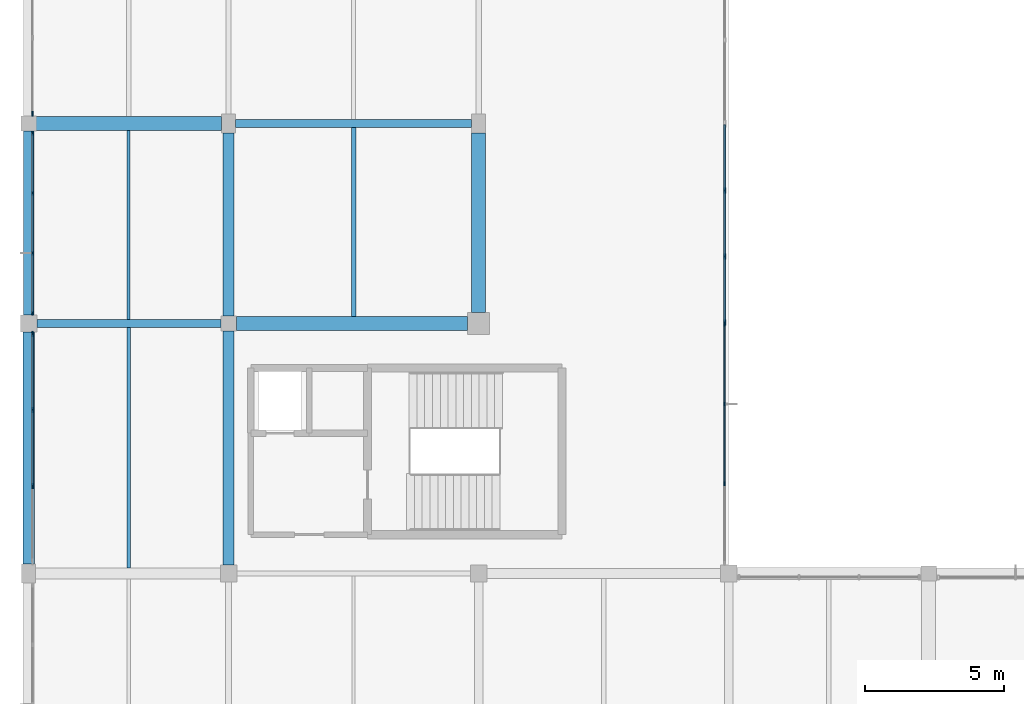
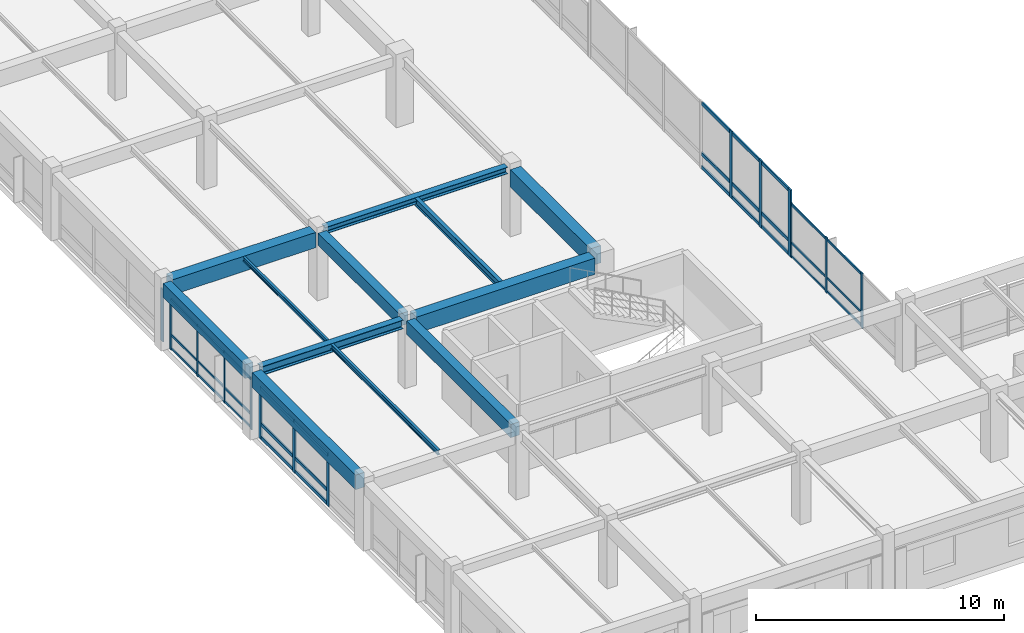
# One storey, part 6 of 74: 44 members, 12 beams, 5 elements without a shape of their own.
"""IFC4 building model written with IfcOpenShell, lengths in metres."""

from ifc_helpers import new_model, si_unit, direction, frame, origin, origin_2d, place, context, subcontext, project, spatial, rectangle, i_section, extrude, material, material_profile, profile_set, type_object, element, aggregate, save


model = new_model("IFC4")

# Units and contexts
model_context = context("Model", 3, precision=1e-05, world=origin(), true_north=direction((0.0, 1.0)))
body_context = subcontext(model_context, "Body", "Model", "MODEL_VIEW")
ifc_project = project(units=[si_unit("LENGTHUNIT", "METRE"), si_unit("AREAUNIT", "SQUARE_METRE"), si_unit("VOLUMEUNIT", "CUBIC_METRE"), si_unit("PLANEANGLEUNIT", "RADIAN"), si_unit("MASSUNIT", "GRAM", prefix="KILO")], contexts=[model_context])

# Site, building, storey
site_placement = place(None, origin())
site = spatial("IfcSite", under=ifc_project, at=site_placement, CompositionType="ELEMENT")
building_placement = place(site_placement, origin())
building = spatial("IfcBuilding", under=site, at=building_placement, Name="Clarverna Civic Hall", CompositionType="ELEMENT")
storey_placement = place(building_placement, frame((0.0, 0.0, 9.60009765625)))
storey = spatial("IfcBuildingStorey", under=building, at=storey_placement, Name="L02", CompositionType="ELEMENT", Elevation=9.60009765625)

# Beams
ifc_material_1 = material(Name="Concrete C35/45", Category="concrete")
ifc_material_profile_1 = material_profile(ifc_material_1, rectangle(XDim=0.5, YDim=0.85009765625, at=origin_2d()), Name="RC 500x850")
ifc_profile_set_1 = profile_set([ifc_material_profile_1], Name="Concrete C35/45")
beam_type_1 = type_object("IfcBeamType", Name="B-RC1", PredefinedType="BEAM", material=ifc_profile_set_1)
beam_1_placement = place(storey_placement, frame((16.199951171875, 23.39990234375, 2.89501953125), z_axis=(0.0, 1.0, 0.0), x_axis=(-1.0, 0.0, 0.0)))
element("IfcBeam", 1, at=beam_1_placement, inside=storey, type_object=beam_type_1, Name="B-RC1-022", PredefinedType="BEAM", context=body_context, shape_type="SweptSolid", body=[
    extrude(rectangle(XDim=0.5, YDim=0.85009765625, at=origin_2d()), origin(), (0.0, 0.0, 1.0), 6.4501953125),
])
ifc_material_profile_2 = material_profile(ifc_material_1, rectangle(XDim=0.5, YDim=0.800048828125, at=origin_2d()), Name="RC 500x800")
ifc_profile_set_2 = profile_set([ifc_material_profile_2], Name="Concrete C35/45")
beam_type_2 = type_object("IfcBeamType", Name="B-RC14", PredefinedType="BEAM", material=ifc_profile_set_2)
beam_2_placement = place(storey_placement, frame((7.47509765625, 23.0, 2.919921875), z_axis=(1.0, 0.0, 0.0), x_axis=(0.0, 1.0, 0.0)))
element("IfcBeam", 2, at=beam_2_placement, inside=storey, type_object=beam_type_2, Name="B-RC14-025", PredefinedType="BEAM", context=body_context, shape_type="SweptSolid", body=[
    extrude(rectangle(XDim=0.5, YDim=0.800048828125, at=origin_2d()), origin(), (0.0, 0.0, 1.0), 8.324951171875),
])
ifc_material_profile_3 = material_profile(ifc_material_1, rectangle(XDim=0.5, YDim=0.75, at=origin_2d()), Name="RC 500x750")
ifc_profile_set_3 = profile_set([ifc_material_profile_3], Name="Concrete C35/45")
beam_type_3 = type_object("IfcBeamType", Name="B-RC15", PredefinedType="BEAM", material=ifc_profile_set_3)
beam_3_placement = place(storey_placement, frame((0.27490234375, 30.199951171875, 2.94482421875), z_axis=(1.0, 0.0, 0.0), x_axis=(0.0, 1.0, 0.0)))
element("IfcBeam", 3, at=beam_3_placement, inside=storey, type_object=beam_type_3, Name="B-RC15-034", PredefinedType="BEAM", context=body_context, shape_type="SweptSolid", body=[
    extrude(rectangle(XDim=0.5, YDim=0.75, at=origin_2d()), origin(), (0.0, 0.0, 1.0), 6.675048828125),
])
ifc_material_profile_4 = material_profile(ifc_material_1, rectangle(XDim=0.39990234375, YDim=0.64990234375, at=origin_2d()), Name="RC 400x650")
ifc_profile_set_4 = profile_set([ifc_material_profile_4], Name="Concrete C35/45")
beam_type_4 = type_object("IfcBeamType", Name="B-RC6", PredefinedType="BEAM", material=ifc_profile_set_4)
beam_4_placement = place(storey_placement, frame((7.199951171875, 14.300048828125, 2.994873046875), z_axis=(0.0, 1.0, 0.0), x_axis=(-1.0, 0.0, 0.0)))
element("IfcBeam", 4, at=beam_4_placement, inside=storey, type_object=beam_type_4, Name="B-RC6-039", PredefinedType="BEAM", context=body_context, shape_type="SweptSolid", body=[
    extrude(rectangle(XDim=0.39990234375, YDim=0.64990234375, at=origin_2d()), origin(), (0.0, 0.0, 1.0), 8.425048828125),
])
ifc_material_profile_5 = material_profile(ifc_material_1, rectangle(XDim=0.39990234375, YDim=0.60009765625, at=origin_2d()), Name="RC 400x600")
ifc_profile_set_5 = profile_set([ifc_material_profile_5], Name="Concrete C35/45")
beam_type_5 = type_object("IfcBeamType", Name="B-RC7", PredefinedType="BEAM", material=ifc_profile_set_5)
beam_5_placement = place(storey_placement, frame((7.199951171875, 23.27490234375, 3.02001953125), z_axis=(0.0, 1.0, 0.0), x_axis=(-1.0, 0.0, 0.0)))
element("IfcBeam", 5, at=beam_5_placement, inside=storey, type_object=beam_type_5, Name="B-RC7-026", PredefinedType="BEAM", context=body_context, shape_type="SweptSolid", body=[
    extrude(rectangle(XDim=0.39990234375, YDim=0.60009765625, at=origin_2d()), origin(), (0.0, 0.0, 1.0), 6.5751953125),
])
ifc_material_profile_6 = material_profile(ifc_material_1, rectangle(XDim=0.419921875, YDim=0.719970703125, at=origin_2d()), Name="RC 420x720")
ifc_profile_set_6 = profile_set([ifc_material_profile_6], Name="Concrete C35/45")
beam_type_6 = type_object("IfcBeamType", Name="B-SP1", PredefinedType="SPANDREL", material=ifc_profile_set_6)
beam_6_placement = place(storey_placement, frame((0.0, 14.35009765625, 2.9599609375), z_axis=(0.0, 1.0, 0.0), x_axis=(-1.0, 0.0, 0.0)))
element("IfcBeam", 6, at=beam_6_placement, inside=storey, type_object=beam_type_6, Name="B-SP1-093", PredefinedType="SPANDREL", context=body_context, shape_type="SweptSolid", body=[
    extrude(rectangle(XDim=0.419921875, YDim=0.719970703125, at=origin_2d()), origin(), (0.0, 0.0, 1.0), 8.349853515625),
])
ifc_material_profile_7 = material_profile(ifc_material_1, rectangle(XDim=0.3798828125, YDim=0.679931640625, at=origin_2d()), Name="RC 380x680")
ifc_profile_set_7 = profile_set([ifc_material_profile_7], Name="Concrete C35/45")
beam_type_7 = type_object("IfcBeamType", Name="B-SP2", PredefinedType="SPANDREL", material=ifc_profile_set_7)
beam_7_placement = place(storey_placement, frame((0.0, 23.300048828125, 2.97998046875), z_axis=(0.0, 1.0, 0.0), x_axis=(-1.0, 0.0, 0.0)))
element("IfcBeam", 7, at=beam_7_placement, inside=storey, type_object=beam_type_7, Name="B-SP2-097", PredefinedType="SPANDREL", context=body_context, shape_type="SweptSolid", body=[
    extrude(rectangle(XDim=0.3798828125, YDim=0.679931640625, at=origin_2d()), origin(), (0.0, 0.0, 1.0), 6.625),
])
ifc_material_2 = material(Name="Steel S355", Category="steel")
ifc_material_profile_8 = material_profile(ifc_material_2, i_section(OverallWidth=0.300048828125, OverallDepth=0.43994140625, WebThickness=0.011474609375, FlangeThickness=0.02099609375, FilletRadius=0.027099609375, at=origin_2d()), Name="HEA 450")
ifc_profile_set_8 = profile_set([ifc_material_profile_8], Name="Steel S355")
beam_type_8 = type_object("IfcBeamType", Name="B-ST5", PredefinedType="BEAM", material=ifc_profile_set_8)
beam_8_placement = place(storey_placement, frame((0.300048828125, 23.0, 3.099853515625), z_axis=(1.0, 0.0, 0.0), x_axis=(0.0, 1.0, 0.0)))
element("IfcBeam", 8, at=beam_8_placement, inside=storey, type_object=beam_type_8, Name="B-ST5-080", PredefinedType="BEAM", context=body_context, shape_type="SweptSolid", body=[
    extrude(i_section(OverallWidth=0.300048828125, OverallDepth=0.43994140625, WebThickness=0.011474609375, FlangeThickness=0.02099609375, FilletRadius=0.027099609375, at=origin_2d()), origin(), (0.0, 0.0, 1.0), 6.625),
])
ifc_material_profile_9 = material_profile(ifc_material_2, i_section(OverallWidth=0.300048828125, OverallDepth=0.330078125, WebThickness=0.009521484375, FlangeThickness=0.0166015625, FilletRadius=0.027099609375, at=origin_2d()), Name="HEA 340")
ifc_profile_set_9 = profile_set([ifc_material_profile_9], Name="Steel S355")
beam_type_9 = type_object("IfcBeamType", Name="B-ST8", PredefinedType="BEAM", material=ifc_profile_set_9)
beam_9_placement = place(storey_placement, frame((7.449951171875, 30.199951171875, 3.15478515625), z_axis=(1.0, 0.0, 0.0), x_axis=(0.0, 1.0, 0.0)))
element("IfcBeam", 9, at=beam_9_placement, inside=storey, type_object=beam_type_9, Name="B-ST8-074", PredefinedType="BEAM", context=body_context, shape_type="SweptSolid", body=[
    extrude(i_section(OverallWidth=0.300048828125, OverallDepth=0.330078125, WebThickness=0.009521484375, FlangeThickness=0.0166015625, FilletRadius=0.027099609375, at=origin_2d()), origin(), (0.0, 0.0, 1.0), 8.5),
])

# Curtain wall, member
ifc_material_3 = material(Name="Anodised Bronze Architectural Aluminium", Category="aluminium")
curtain_wall_type = type_object("IfcCurtainWallType", Name="CW-01", PredefinedType="USERDEFINED", material=ifc_material_3)
curtain_wall_1_placement = place(storey_placement, origin())
curtain_wall_1 = element("IfcCurtainWall", 10, at=curtain_wall_1_placement, inside=storey, type_object=curtain_wall_type, Name="CW-01-019", ObjectType="UNITISED CURTAIN WALL", PredefinedType="USERDEFINED")
ifc_material_profile_10 = material_profile(ifc_material_3, rectangle(XDim=0.06005859375, YDim=0.179931640625, at=origin_2d()), Name="BRONZE 60x180")
ifc_profile_set_10 = profile_set([ifc_material_profile_10], Name="Anodised Bronze Architectural Aluminium")
member_type_1 = type_object("IfcMemberType", Name="CWM-01", PredefinedType="MULLION", material=ifc_profile_set_10)
member_1_placement = place(storey_placement, frame((0.139892578125, 30.548095703125, 0.0), z_axis=(0.0, 0.0, 1.0), x_axis=(1.0, 0.0, 0.0)))
member_1 = element("IfcMember", 11, at=member_1_placement, type_object=member_type_1, Name="CWM-01-070", PredefinedType="MULLION", context=body_context, shape_type="SweptSolid", body=[
    extrude(rectangle(XDim=0.06005859375, YDim=0.179931640625, at=origin_2d()), origin(), (0.0, 0.0, 1.0), 2.56982421875),
])
aggregate(curtain_wall_1, [member_1])

# Curtain wall, members
curtain_wall_2_placement = place(storey_placement, origin())
curtain_wall_2 = element("IfcCurtainWall", 12, at=curtain_wall_2_placement, inside=storey, type_object=curtain_wall_type, Name="CW-01-017", ObjectType="UNITISED CURTAIN WALL", PredefinedType="USERDEFINED")
ifc_material_profile_11 = material_profile(ifc_material_3, rectangle(XDim=0.06494140625, YDim=0.199951171875, at=origin_2d()), Name="BRONZE 65x200")
ifc_profile_set_11 = profile_set([ifc_material_profile_11], Name="Anodised Bronze Architectural Aluminium")
member_type_2 = type_object("IfcMemberType", Name="CWM-03", PredefinedType="MULLION", material=ifc_profile_set_11)
member_2_placement = place(storey_placement, frame((0.139892578125, 17.15771484375, 0.0), z_axis=(0.0, 0.0, 1.0), x_axis=(1.0, 0.0, 0.0)))
member_2 = element("IfcMember", 13, at=member_2_placement, type_object=member_type_2, Name="CWM-03-068", PredefinedType="MULLION", context=body_context, shape_type="SweptSolid", body=[
    extrude(rectangle(XDim=0.06494140625, YDim=0.199951171875, at=origin_2d()), origin(), (0.0, 0.0, 1.0), 2.599853515625),
])
member_3_placement = place(storey_placement, frame((0.139892578125, 19.892333984375, 0.0), z_axis=(0.0, 0.0, 1.0), x_axis=(1.0, 0.0, 0.0)))
member_3 = element("IfcMember", 14, at=member_3_placement, type_object=member_type_2, Name="CWM-03-069", PredefinedType="MULLION", context=body_context, shape_type="SweptSolid", body=[
    extrude(rectangle(XDim=0.06494140625, YDim=0.199951171875, at=origin_2d()), origin(), (0.0, 0.0, 1.0), 2.599853515625),
])
member_4_placement = place(storey_placement, frame((0.139892578125, 22.626953125, 0.0), z_axis=(0.0, 0.0, 1.0), x_axis=(1.0, 0.0, 0.0)))
member_4 = element("IfcMember", 15, at=member_4_placement, type_object=member_type_2, Name="CWM-03-070", PredefinedType="MULLION", context=body_context, shape_type="SweptSolid", body=[
    extrude(rectangle(XDim=0.06494140625, YDim=0.199951171875, at=origin_2d()), origin(), (0.0, 0.0, 1.0), 2.599853515625),
])

curtain_wall_3_placement = place(storey_placement, origin())
curtain_wall_3 = element("IfcCurtainWall", 16, at=curtain_wall_3_placement, inside=storey, type_object=curtain_wall_type, Name="CW-01-056", ObjectType="UNITISED CURTAIN WALL", PredefinedType="USERDEFINED")
member_5_placement = place(storey_placement, frame((25.06005859375, 27.7890625, 0.0), z_axis=(0.0, 0.0, 1.0), x_axis=(1.0, 0.0, 0.0)))
member_5 = element("IfcMember", 17, at=member_5_placement, type_object=member_type_2, Name="CWM-03-110", PredefinedType="MULLION", context=body_context, shape_type="SweptSolid", body=[
    extrude(rectangle(XDim=0.06494140625, YDim=0.199951171875, at=origin_2d()), origin(), (0.0, 0.0, 1.0), 3.31982421875),
])
member_6_placement = place(storey_placement, frame((25.06005859375, 25.410888671875, 0.0), z_axis=(0.0, 0.0, 1.0), x_axis=(1.0, 0.0, 0.0)))
member_6 = element("IfcMember", 18, at=member_6_placement, type_object=member_type_2, Name="CWM-03-111", PredefinedType="MULLION", context=body_context, shape_type="SweptSolid", body=[
    extrude(rectangle(XDim=0.06494140625, YDim=0.199951171875, at=origin_2d()), origin(), (0.0, 0.0, 1.0), 3.31982421875),
])
member_7_placement = place(storey_placement, frame((25.06005859375, 23.032958984375, 0.0), z_axis=(0.0, 0.0, 1.0), x_axis=(1.0, 0.0, 0.0)))
member_7 = element("IfcMember", 19, at=member_7_placement, type_object=member_type_2, Name="CWM-03-112", PredefinedType="MULLION", context=body_context, shape_type="SweptSolid", body=[
    extrude(rectangle(XDim=0.06494140625, YDim=0.199951171875, at=origin_2d()), origin(), (0.0, 0.0, 1.0), 3.31982421875),
])

curtain_wall_4_placement = place(storey_placement, origin())
curtain_wall_4 = element("IfcCurtainWall", 20, at=curtain_wall_4_placement, inside=storey, type_object=curtain_wall_type, Name="CW-01-018", ObjectType="UNITISED CURTAIN WALL", PredefinedType="USERDEFINED")
ifc_material_profile_12 = material_profile(ifc_material_3, rectangle(XDim=0.054931640625, YDim=0.139892578125, at=origin_2d()), Name="BRONZE 55x140")
ifc_profile_set_12 = profile_set([ifc_material_profile_12], Name="Anodised Bronze Architectural Aluminium")
member_type_3 = type_object("IfcMemberType", Name="CWM-04", PredefinedType="MULLION", material=ifc_profile_set_12)
member_8_placement = place(storey_placement, frame((0.139892578125, 23.373046875, 0.0), z_axis=(0.0, 0.0, 1.0), x_axis=(1.0, 0.0, 0.0)))
member_8 = element("IfcMember", 21, at=member_8_placement, type_object=member_type_3, Name="CWM-04-081", PredefinedType="MULLION", context=body_context, shape_type="SweptSolid", body=[
    extrude(rectangle(XDim=0.054931640625, YDim=0.139892578125, at=origin_2d()), origin(), (0.0, 0.0, 1.0), 2.56982421875),
])
member_9_placement = place(storey_placement, frame((0.139892578125, 25.53271484375, 0.0), z_axis=(0.0, 0.0, 1.0), x_axis=(1.0, 0.0, 0.0)))
member_9 = element("IfcMember", 22, at=member_9_placement, type_object=member_type_3, Name="CWM-04-082", PredefinedType="MULLION", context=body_context, shape_type="SweptSolid", body=[
    extrude(rectangle(XDim=0.054931640625, YDim=0.139892578125, at=origin_2d()), origin(), (0.0, 0.0, 1.0), 2.56982421875),
])
member_10_placement = place(storey_placement, frame((0.139892578125, 27.6923828125, 0.0), z_axis=(0.0, 0.0, 1.0), x_axis=(1.0, 0.0, 0.0)))
member_10 = element("IfcMember", 23, at=member_10_placement, type_object=member_type_3, Name="CWM-04-083", PredefinedType="MULLION", context=body_context, shape_type="SweptSolid", body=[
    extrude(rectangle(XDim=0.054931640625, YDim=0.139892578125, at=origin_2d()), origin(), (0.0, 0.0, 1.0), 2.56982421875),
])
member_11_placement = place(storey_placement, frame((0.139892578125, 29.85205078125, 0.0), z_axis=(0.0, 0.0, 1.0), x_axis=(1.0, 0.0, 0.0)))
member_11 = element("IfcMember", 24, at=member_11_placement, type_object=member_type_3, Name="CWM-04-084", PredefinedType="MULLION", context=body_context, shape_type="SweptSolid", body=[
    extrude(rectangle(XDim=0.054931640625, YDim=0.139892578125, at=origin_2d()), origin(), (0.0, 0.0, 1.0), 2.56982421875),
])

curtain_wall_5_placement = place(storey_placement, origin())
curtain_wall_5 = element("IfcCurtainWall", 25, at=curtain_wall_5_placement, inside=storey, type_object=curtain_wall_type, Name="CW-01-057", ObjectType="UNITISED CURTAIN WALL", PredefinedType="USERDEFINED")
member_12_placement = place(storey_placement, frame((25.06005859375, 22.967041015625, 0.0), z_axis=(0.0, 0.0, 1.0), x_axis=(1.0, 0.0, 0.0)))
member_12 = element("IfcMember", 26, at=member_12_placement, type_object=member_type_3, Name="CWM-04-137", PredefinedType="MULLION", context=body_context, shape_type="SweptSolid", body=[
    extrude(rectangle(XDim=0.054931640625, YDim=0.139892578125, at=origin_2d()), origin(), (0.0, 0.0, 1.0), 2.719970703125),
])
member_13_placement = place(storey_placement, frame((25.06005859375, 20.102294921875, 0.0), z_axis=(0.0, 0.0, 1.0), x_axis=(1.0, 0.0, 0.0)))
member_13 = element("IfcMember", 27, at=member_13_placement, type_object=member_type_3, Name="CWM-04-138", PredefinedType="MULLION", context=body_context, shape_type="SweptSolid", body=[
    extrude(rectangle(XDim=0.054931640625, YDim=0.139892578125, at=origin_2d()), origin(), (0.0, 0.0, 1.0), 2.719970703125),
])
member_14_placement = place(storey_placement, frame((25.06005859375, 17.23779296875, 0.0), z_axis=(0.0, 0.0, 1.0), x_axis=(1.0, 0.0, 0.0)))
member_14 = element("IfcMember", 28, at=member_14_placement, type_object=member_type_3, Name="CWM-04-139", PredefinedType="MULLION", context=body_context, shape_type="SweptSolid", body=[
    extrude(rectangle(XDim=0.054931640625, YDim=0.139892578125, at=origin_2d()), origin(), (0.0, 0.0, 1.0), 2.719970703125),
])

# Member
ifc_material_profile_13 = material_profile(ifc_material_3, rectangle(XDim=0.06494140625, YDim=0.169921875, at=origin_2d()), Name="BRONZE 65x170")
ifc_profile_set_13 = profile_set([ifc_material_profile_13], Name="Anodised Bronze Architectural Aluminium")
member_type_4 = type_object("IfcMemberType", Name="CWT-03", PredefinedType="USERDEFINED", material=ifc_profile_set_13)
member_15_placement = place(storey_placement, frame((0.139892578125, 17.172607421875, 0.094970703125), z_axis=(0.0, 1.0, 0.0), x_axis=(-1.0, 0.0, 0.0)))
member_15 = element("IfcMember", 29, at=member_15_placement, type_object=member_type_4, Name="CWT-03-142", ObjectType="TRANSOM", PredefinedType="USERDEFINED", context=body_context, shape_type="SweptSolid", body=[
    extrude(rectangle(XDim=0.06494140625, YDim=0.169921875, at=origin_2d()), origin(), (0.0, 0.0, 1.0), 2.70458984375),
])

member_16_placement = place(storey_placement, frame((0.139892578125, 17.172607421875, 0.75), z_axis=(0.0, 1.0, 0.0), x_axis=(-1.0, 0.0, 0.0)))
member_16 = element("IfcMember", 30, at=member_16_placement, type_object=member_type_4, Name="CWT-03-143", ObjectType="TRANSOM", PredefinedType="USERDEFINED", context=body_context, shape_type="SweptSolid", body=[
    extrude(rectangle(XDim=0.06494140625, YDim=0.169921875, at=origin_2d()), origin(), (0.0, 0.0, 1.0), 2.70458984375),
])

member_17_placement = place(storey_placement, frame((0.139892578125, 17.172607421875, 2.5048828125), z_axis=(0.0, 1.0, 0.0), x_axis=(-1.0, 0.0, 0.0)))
member_17 = element("IfcMember", 31, at=member_17_placement, type_object=member_type_4, Name="CWT-03-144", ObjectType="TRANSOM", PredefinedType="USERDEFINED", context=body_context, shape_type="SweptSolid", body=[
    extrude(rectangle(XDim=0.06494140625, YDim=0.169921875, at=origin_2d()), origin(), (0.0, 0.0, 1.0), 2.70458984375),
])

member_18_placement = place(storey_placement, frame((0.139892578125, 19.9072265625, 0.094970703125), z_axis=(0.0, 1.0, 0.0), x_axis=(-1.0, 0.0, 0.0)))
member_18 = element("IfcMember", 32, at=member_18_placement, type_object=member_type_4, Name="CWT-03-145", ObjectType="TRANSOM", PredefinedType="USERDEFINED", context=body_context, shape_type="SweptSolid", body=[
    extrude(rectangle(XDim=0.06494140625, YDim=0.169921875, at=origin_2d()), origin(), (0.0, 0.0, 1.0), 2.704833984375),
])

member_19_placement = place(storey_placement, frame((0.139892578125, 19.9072265625, 0.75), z_axis=(0.0, 1.0, 0.0), x_axis=(-1.0, 0.0, 0.0)))
member_19 = element("IfcMember", 33, at=member_19_placement, type_object=member_type_4, Name="CWT-03-146", ObjectType="TRANSOM", PredefinedType="USERDEFINED", context=body_context, shape_type="SweptSolid", body=[
    extrude(rectangle(XDim=0.06494140625, YDim=0.169921875, at=origin_2d()), origin(), (0.0, 0.0, 1.0), 2.704833984375),
])

member_20_placement = place(storey_placement, frame((0.139892578125, 19.9072265625, 2.5048828125), z_axis=(0.0, 1.0, 0.0), x_axis=(-1.0, 0.0, 0.0)))
member_20 = element("IfcMember", 34, at=member_20_placement, type_object=member_type_4, Name="CWT-03-147", ObjectType="TRANSOM", PredefinedType="USERDEFINED", context=body_context, shape_type="SweptSolid", body=[
    extrude(rectangle(XDim=0.06494140625, YDim=0.169921875, at=origin_2d()), origin(), (0.0, 0.0, 1.0), 2.704833984375),
])

aggregate(curtain_wall_2, [member_2, member_3, member_4, member_15, member_16, member_17, member_18, member_19, member_20])

member_21_placement = place(storey_placement, frame((25.06005859375, 30.152099609375, 0.094970703125), z_axis=(0.0, -1.0, 0.0), x_axis=(1.0, 0.0, 0.0)))
member_21 = element("IfcMember", 35, at=member_21_placement, type_object=member_type_4, Name="CWT-03-229", ObjectType="TRANSOM", PredefinedType="USERDEFINED", context=body_context, shape_type="SweptSolid", body=[
    extrude(rectangle(XDim=0.06494140625, YDim=0.169921875, at=origin_2d()), origin(), (0.0, 0.0, 1.0), 2.34814453125),
])

member_22_placement = place(storey_placement, frame((25.06005859375, 30.152099609375, 0.75), z_axis=(0.0, -1.0, 0.0), x_axis=(1.0, 0.0, 0.0)))
member_22 = element("IfcMember", 36, at=member_22_placement, type_object=member_type_4, Name="CWT-03-230", ObjectType="TRANSOM", PredefinedType="USERDEFINED", context=body_context, shape_type="SweptSolid", body=[
    extrude(rectangle(XDim=0.06494140625, YDim=0.169921875, at=origin_2d()), origin(), (0.0, 0.0, 1.0), 2.34814453125),
])

member_23_placement = place(storey_placement, frame((25.06005859375, 30.152099609375, 3.224853515625), z_axis=(0.0, -1.0, 0.0), x_axis=(1.0, 0.0, 0.0)))
member_23 = element("IfcMember", 37, at=member_23_placement, type_object=member_type_4, Name="CWT-03-231", ObjectType="TRANSOM", PredefinedType="USERDEFINED", context=body_context, shape_type="SweptSolid", body=[
    extrude(rectangle(XDim=0.06494140625, YDim=0.169921875, at=origin_2d()), origin(), (0.0, 0.0, 1.0), 2.34814453125),
])

member_24_placement = place(storey_placement, frame((25.06005859375, 27.77392578125, 0.094970703125), z_axis=(0.0, -1.0, 0.0), x_axis=(1.0, 0.0, 0.0)))
member_24 = element("IfcMember", 38, at=member_24_placement, type_object=member_type_4, Name="CWT-03-232", ObjectType="TRANSOM", PredefinedType="USERDEFINED", context=body_context, shape_type="SweptSolid", body=[
    extrude(rectangle(XDim=0.06494140625, YDim=0.169921875, at=origin_2d()), origin(), (0.0, 0.0, 1.0), 2.347900390625),
])

member_25_placement = place(storey_placement, frame((25.06005859375, 27.77392578125, 0.75), z_axis=(0.0, -1.0, 0.0), x_axis=(1.0, 0.0, 0.0)))
member_25 = element("IfcMember", 39, at=member_25_placement, type_object=member_type_4, Name="CWT-03-233", ObjectType="TRANSOM", PredefinedType="USERDEFINED", context=body_context, shape_type="SweptSolid", body=[
    extrude(rectangle(XDim=0.06494140625, YDim=0.169921875, at=origin_2d()), origin(), (0.0, 0.0, 1.0), 2.347900390625),
])

member_26_placement = place(storey_placement, frame((25.06005859375, 27.77392578125, 3.224853515625), z_axis=(0.0, -1.0, 0.0), x_axis=(1.0, 0.0, 0.0)))
member_26 = element("IfcMember", 40, at=member_26_placement, type_object=member_type_4, Name="CWT-03-234", ObjectType="TRANSOM", PredefinedType="USERDEFINED", context=body_context, shape_type="SweptSolid", body=[
    extrude(rectangle(XDim=0.06494140625, YDim=0.169921875, at=origin_2d()), origin(), (0.0, 0.0, 1.0), 2.347900390625),
])

member_27_placement = place(storey_placement, frame((25.06005859375, 25.39599609375, 0.094970703125), z_axis=(0.0, -1.0, 0.0), x_axis=(1.0, 0.0, 0.0)))
member_27 = element("IfcMember", 41, at=member_27_placement, type_object=member_type_4, Name="CWT-03-235", ObjectType="TRANSOM", PredefinedType="USERDEFINED", context=body_context, shape_type="SweptSolid", body=[
    extrude(rectangle(XDim=0.06494140625, YDim=0.169921875, at=origin_2d()), origin(), (0.0, 0.0, 1.0), 2.347900390625),
])

member_28_placement = place(storey_placement, frame((25.06005859375, 25.39599609375, 0.75), z_axis=(0.0, -1.0, 0.0), x_axis=(1.0, 0.0, 0.0)))
member_28 = element("IfcMember", 42, at=member_28_placement, type_object=member_type_4, Name="CWT-03-236", ObjectType="TRANSOM", PredefinedType="USERDEFINED", context=body_context, shape_type="SweptSolid", body=[
    extrude(rectangle(XDim=0.06494140625, YDim=0.169921875, at=origin_2d()), origin(), (0.0, 0.0, 1.0), 2.347900390625),
])

member_29_placement = place(storey_placement, frame((25.06005859375, 25.39599609375, 3.224853515625), z_axis=(0.0, -1.0, 0.0), x_axis=(1.0, 0.0, 0.0)))
member_29 = element("IfcMember", 43, at=member_29_placement, type_object=member_type_4, Name="CWT-03-237", ObjectType="TRANSOM", PredefinedType="USERDEFINED", context=body_context, shape_type="SweptSolid", body=[
    extrude(rectangle(XDim=0.06494140625, YDim=0.169921875, at=origin_2d()), origin(), (0.0, 0.0, 1.0), 2.347900390625),
])

aggregate(curtain_wall_3, [member_5, member_6, member_7, member_21, member_22, member_23, member_24, member_25, member_26, member_27, member_28, member_29])

ifc_material_profile_14 = material_profile(ifc_material_3, rectangle(XDim=0.054931640625, YDim=0.110107421875, at=origin_2d()), Name="BRONZE 55x110")
ifc_profile_set_14 = profile_set([ifc_material_profile_14], Name="Anodised Bronze Architectural Aluminium")
member_type_5 = type_object("IfcMemberType", Name="CWT-04", PredefinedType="USERDEFINED", material=ifc_profile_set_14)
member_30_placement = place(storey_placement, frame((0.139892578125, 23.387939453125, 0.094970703125), z_axis=(0.0, 1.0, 0.0), x_axis=(-1.0, 0.0, 0.0)))
member_30 = element("IfcMember", 44, at=member_30_placement, type_object=member_type_5, Name="CWT-04-169", ObjectType="TRANSOM", PredefinedType="USERDEFINED", context=body_context, shape_type="SweptSolid", body=[
    extrude(rectangle(XDim=0.054931640625, YDim=0.110107421875, at=origin_2d()), origin(), (0.0, 0.0, 1.0), 2.129638671875),
])

member_31_placement = place(storey_placement, frame((0.139892578125, 23.387939453125, 0.75), z_axis=(0.0, 1.0, 0.0), x_axis=(-1.0, 0.0, 0.0)))
member_31 = element("IfcMember", 45, at=member_31_placement, type_object=member_type_5, Name="CWT-04-170", ObjectType="TRANSOM", PredefinedType="USERDEFINED", context=body_context, shape_type="SweptSolid", body=[
    extrude(rectangle(XDim=0.054931640625, YDim=0.110107421875, at=origin_2d()), origin(), (0.0, 0.0, 1.0), 2.129638671875),
])

member_32_placement = place(storey_placement, frame((0.139892578125, 23.387939453125, 2.474853515625), z_axis=(0.0, 1.0, 0.0), x_axis=(-1.0, 0.0, 0.0)))
member_32 = element("IfcMember", 46, at=member_32_placement, type_object=member_type_5, Name="CWT-04-171", ObjectType="TRANSOM", PredefinedType="USERDEFINED", context=body_context, shape_type="SweptSolid", body=[
    extrude(rectangle(XDim=0.054931640625, YDim=0.110107421875, at=origin_2d()), origin(), (0.0, 0.0, 1.0), 2.129638671875),
])

member_33_placement = place(storey_placement, frame((0.139892578125, 25.547607421875, 0.094970703125), z_axis=(0.0, 1.0, 0.0), x_axis=(-1.0, 0.0, 0.0)))
member_33 = element("IfcMember", 47, at=member_33_placement, type_object=member_type_5, Name="CWT-04-172", ObjectType="TRANSOM", PredefinedType="USERDEFINED", context=body_context, shape_type="SweptSolid", body=[
    extrude(rectangle(XDim=0.054931640625, YDim=0.110107421875, at=origin_2d()), origin(), (0.0, 0.0, 1.0), 2.129638671875),
])

member_34_placement = place(storey_placement, frame((0.139892578125, 25.547607421875, 0.75), z_axis=(0.0, 1.0, 0.0), x_axis=(-1.0, 0.0, 0.0)))
member_34 = element("IfcMember", 48, at=member_34_placement, type_object=member_type_5, Name="CWT-04-173", ObjectType="TRANSOM", PredefinedType="USERDEFINED", context=body_context, shape_type="SweptSolid", body=[
    extrude(rectangle(XDim=0.054931640625, YDim=0.110107421875, at=origin_2d()), origin(), (0.0, 0.0, 1.0), 2.129638671875),
])

member_35_placement = place(storey_placement, frame((0.139892578125, 25.547607421875, 2.474853515625), z_axis=(0.0, 1.0, 0.0), x_axis=(-1.0, 0.0, 0.0)))
member_35 = element("IfcMember", 49, at=member_35_placement, type_object=member_type_5, Name="CWT-04-174", ObjectType="TRANSOM", PredefinedType="USERDEFINED", context=body_context, shape_type="SweptSolid", body=[
    extrude(rectangle(XDim=0.054931640625, YDim=0.110107421875, at=origin_2d()), origin(), (0.0, 0.0, 1.0), 2.129638671875),
])

member_36_placement = place(storey_placement, frame((0.139892578125, 27.707275390625, 0.094970703125), z_axis=(0.0, 1.0, 0.0), x_axis=(-1.0, 0.0, 0.0)))
member_36 = element("IfcMember", 50, at=member_36_placement, type_object=member_type_5, Name="CWT-04-175", ObjectType="TRANSOM", PredefinedType="USERDEFINED", context=body_context, shape_type="SweptSolid", body=[
    extrude(rectangle(XDim=0.054931640625, YDim=0.110107421875, at=origin_2d()), origin(), (0.0, 0.0, 1.0), 2.129638671875),
])

member_37_placement = place(storey_placement, frame((0.139892578125, 27.707275390625, 0.75), z_axis=(0.0, 1.0, 0.0), x_axis=(-1.0, 0.0, 0.0)))
member_37 = element("IfcMember", 51, at=member_37_placement, type_object=member_type_5, Name="CWT-04-176", ObjectType="TRANSOM", PredefinedType="USERDEFINED", context=body_context, shape_type="SweptSolid", body=[
    extrude(rectangle(XDim=0.054931640625, YDim=0.110107421875, at=origin_2d()), origin(), (0.0, 0.0, 1.0), 2.129638671875),
])

member_38_placement = place(storey_placement, frame((0.139892578125, 27.707275390625, 2.474853515625), z_axis=(0.0, 1.0, 0.0), x_axis=(-1.0, 0.0, 0.0)))
member_38 = element("IfcMember", 52, at=member_38_placement, type_object=member_type_5, Name="CWT-04-177", ObjectType="TRANSOM", PredefinedType="USERDEFINED", context=body_context, shape_type="SweptSolid", body=[
    extrude(rectangle(XDim=0.054931640625, YDim=0.110107421875, at=origin_2d()), origin(), (0.0, 0.0, 1.0), 2.129638671875),
])

aggregate(curtain_wall_4, [member_8, member_9, member_10, member_11, member_30, member_31, member_32, member_33, member_34, member_35, member_36, member_37, member_38])

member_39_placement = place(storey_placement, frame((25.06005859375, 22.951904296875, 0.094970703125), z_axis=(0.0, -1.0, 0.0), x_axis=(1.0, 0.0, 0.0)))
member_39 = element("IfcMember", 53, at=member_39_placement, type_object=member_type_5, Name="CWT-04-286", ObjectType="TRANSOM", PredefinedType="USERDEFINED", context=body_context, shape_type="SweptSolid", body=[
    extrude(rectangle(XDim=0.054931640625, YDim=0.110107421875, at=origin_2d()), origin(), (0.0, 0.0, 1.0), 2.834716796875),
])

member_40_placement = place(storey_placement, frame((25.06005859375, 22.951904296875, 0.75), z_axis=(0.0, -1.0, 0.0), x_axis=(1.0, 0.0, 0.0)))
member_40 = element("IfcMember", 54, at=member_40_placement, type_object=member_type_5, Name="CWT-04-287", ObjectType="TRANSOM", PredefinedType="USERDEFINED", context=body_context, shape_type="SweptSolid", body=[
    extrude(rectangle(XDim=0.054931640625, YDim=0.110107421875, at=origin_2d()), origin(), (0.0, 0.0, 1.0), 2.834716796875),
])

member_41_placement = place(storey_placement, frame((25.06005859375, 22.951904296875, 2.625), z_axis=(0.0, -1.0, 0.0), x_axis=(1.0, 0.0, 0.0)))
member_41 = element("IfcMember", 55, at=member_41_placement, type_object=member_type_5, Name="CWT-04-288", ObjectType="TRANSOM", PredefinedType="USERDEFINED", context=body_context, shape_type="SweptSolid", body=[
    extrude(rectangle(XDim=0.054931640625, YDim=0.110107421875, at=origin_2d()), origin(), (0.0, 0.0, 1.0), 2.834716796875),
])

member_42_placement = place(storey_placement, frame((25.06005859375, 20.08740234375, 0.094970703125), z_axis=(0.0, -1.0, 0.0), x_axis=(1.0, 0.0, 0.0)))
member_42 = element("IfcMember", 56, at=member_42_placement, type_object=member_type_5, Name="CWT-04-289", ObjectType="TRANSOM", PredefinedType="USERDEFINED", context=body_context, shape_type="SweptSolid", body=[
    extrude(rectangle(XDim=0.054931640625, YDim=0.110107421875, at=origin_2d()), origin(), (0.0, 0.0, 1.0), 2.834716796875),
])

member_43_placement = place(storey_placement, frame((25.06005859375, 20.08740234375, 0.75), z_axis=(0.0, -1.0, 0.0), x_axis=(1.0, 0.0, 0.0)))
member_43 = element("IfcMember", 57, at=member_43_placement, type_object=member_type_5, Name="CWT-04-290", ObjectType="TRANSOM", PredefinedType="USERDEFINED", context=body_context, shape_type="SweptSolid", body=[
    extrude(rectangle(XDim=0.054931640625, YDim=0.110107421875, at=origin_2d()), origin(), (0.0, 0.0, 1.0), 2.834716796875),
])

member_44_placement = place(storey_placement, frame((25.06005859375, 20.08740234375, 2.625), z_axis=(0.0, -1.0, 0.0), x_axis=(1.0, 0.0, 0.0)))
member_44 = element("IfcMember", 58, at=member_44_placement, type_object=member_type_5, Name="CWT-04-291", ObjectType="TRANSOM", PredefinedType="USERDEFINED", context=body_context, shape_type="SweptSolid", body=[
    extrude(rectangle(XDim=0.054931640625, YDim=0.110107421875, at=origin_2d()), origin(), (0.0, 0.0, 1.0), 2.834716796875),
])

aggregate(curtain_wall_5, [member_12, member_13, member_14, member_39, member_40, member_41, member_42, member_43, member_44])

# Beams
ifc_material_profile_15 = material_profile(ifc_material_2, i_section(OverallWidth=0.169921875, OverallDepth=0.360107421875, WebThickness=0.008056640625, FlangeThickness=0.0126953125, FilletRadius=0.01806640625, at=origin_2d()), Name="IPE 360")
ifc_profile_set_15 = profile_set([ifc_material_profile_15], Name="Steel S355")
beam_type_10 = type_object("IfcBeamType", Name="J-ST1", PredefinedType="JOIST", material=ifc_profile_set_15)
beam_10_placement = place(storey_placement, frame((11.699951171875, 23.25, 3.139892578125), z_axis=(0.0, 1.0, 0.0), x_axis=(-1.0, 0.0, 0.0)))
element("IfcBeam", 59, at=beam_10_placement, inside=storey, type_object=beam_type_10, Name="J-ST1-050", PredefinedType="JOIST", context=body_context, shape_type="SweptSolid", body=[
    extrude(i_section(OverallWidth=0.169921875, OverallDepth=0.360107421875, WebThickness=0.008056640625, FlangeThickness=0.0126953125, FilletRadius=0.01806640625, at=origin_2d()), origin(), (0.0, 0.0, 1.0), 6.800048828125),
])
ifc_material_profile_16 = material_profile(ifc_material_2, i_section(OverallWidth=0.1201171875, OverallDepth=0.239990234375, WebThickness=0.006103515625, FlangeThickness=0.009765625, FilletRadius=0.014892578125, at=origin_2d()), Name="IPE 240")
ifc_profile_set_16 = profile_set([ifc_material_profile_16], Name="Steel S355")
beam_type_11 = type_object("IfcBeamType", Name="J-ST5", PredefinedType="JOIST", material=ifc_profile_set_16)
beam_11_placement = place(storey_placement, frame((3.60009765625, 14.199951171875, 3.199951171875), z_axis=(0.0, 1.0, 0.0), x_axis=(-1.0, 0.0, 0.0)))
element("IfcBeam", 60, at=beam_11_placement, inside=storey, type_object=beam_type_11, Name="J-ST5-049", PredefinedType="JOIST", context=body_context, shape_type="SweptSolid", body=[
    extrude(i_section(OverallWidth=0.1201171875, OverallDepth=0.239990234375, WebThickness=0.006103515625, FlangeThickness=0.009765625, FilletRadius=0.014892578125, at=origin_2d()), origin(), (0.0, 0.0, 1.0), 8.650146484375),
])
ifc_material_profile_17 = material_profile(ifc_material_2, i_section(OverallWidth=0.110107421875, OverallDepth=0.219970703125, WebThickness=0.005859375, FlangeThickness=0.00927734375, FilletRadius=0.011962890625, at=origin_2d()), Name="IPE 220")
ifc_profile_set_17 = profile_set([ifc_material_profile_17], Name="Steel S355")
beam_type_12 = type_object("IfcBeamType", Name="J-ST6", PredefinedType="JOIST", material=ifc_profile_set_17)
beam_12_placement = place(storey_placement, frame((3.60009765625, 23.14990234375, 3.2099609375), z_axis=(0.0, 1.0, 0.0), x_axis=(-1.0, 0.0, 0.0)))
element("IfcBeam", 61, at=beam_12_placement, inside=storey, type_object=beam_type_12, Name="J-ST6-050", PredefinedType="JOIST", context=body_context, shape_type="SweptSolid", body=[
    extrude(i_section(OverallWidth=0.110107421875, OverallDepth=0.219970703125, WebThickness=0.005859375, FlangeThickness=0.00927734375, FilletRadius=0.011962890625, at=origin_2d()), origin(), (0.0, 0.0, 1.0), 6.800048828125),
])

save(model, "model.ifc")
